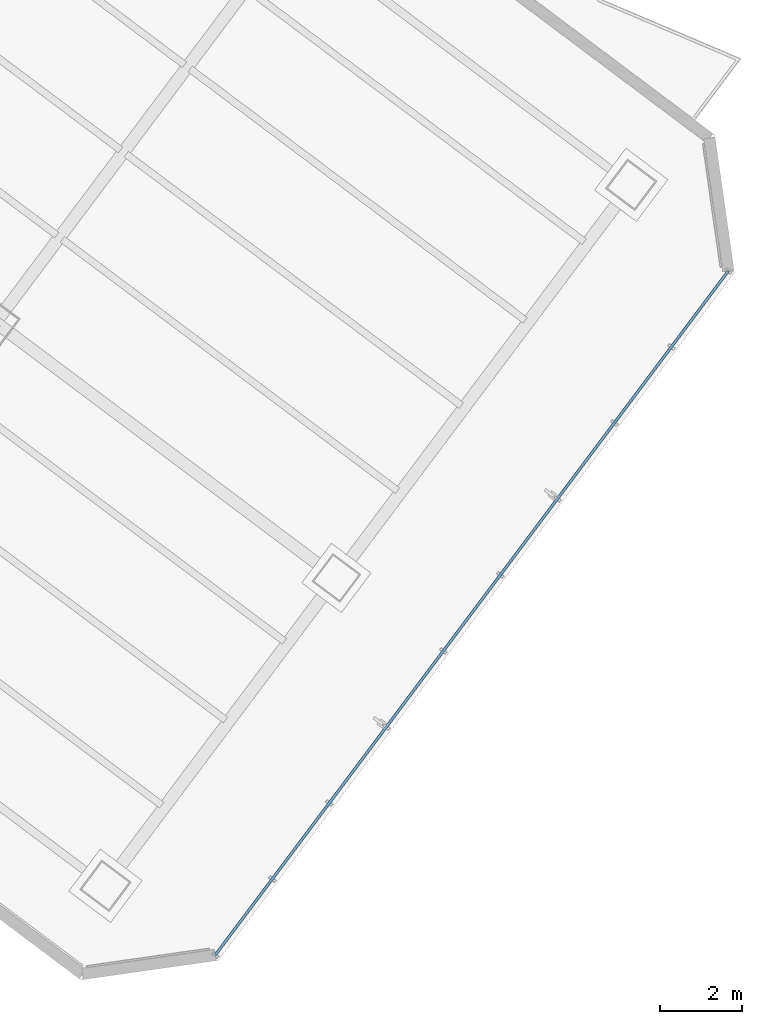
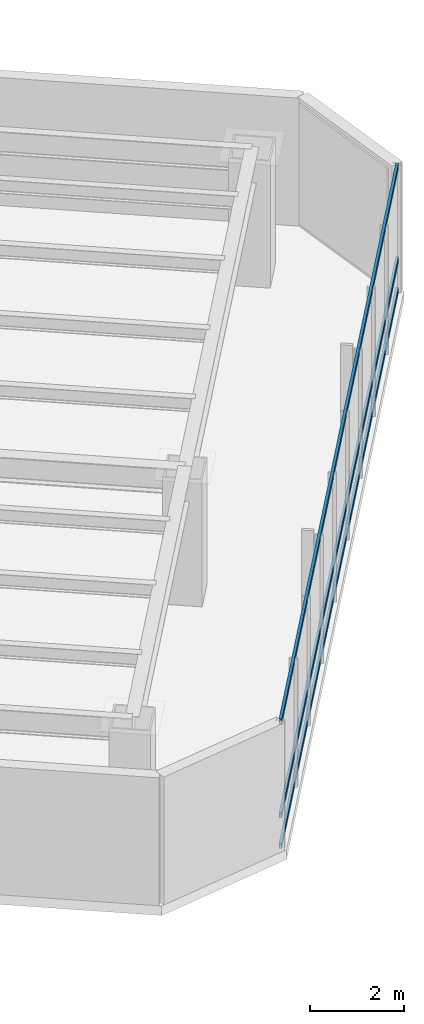
# One storey, part 9 of 29: 3 members, 1 element without a shape of its own.
"""IFC4 building model written with IfcOpenShell, lengths in metres."""

import ifcopenshell
import ifcopenshell.guid

model = None  # the IFC model being written
_history = None  # IfcOwnerHistory: only IFC2X3 demands one
_inside = {}  # id of a spatial element -> (the spatial element, [elements in it])
_under = {}  # id of a project, library or spatial element -> (it, [spatial elements below it])
_declared = {}  # id of a project -> (the project, [libraries it declares])
_typed = {}  # id of a type object -> (the type object, [elements of that type])
_made_of = {}  # id of a material, layer set ... -> (it, [elements and type objects made of it])


def new_model(schema):
    """Start an empty IFC model of exactly this schema.

    Asked for "IFC4X3", IfcOpenShell would pick the latest addendum, in which some entities
    have other attributes; the version numbers below select the first issue.
    IFC2X3 requires an IfcOwnerHistory on every rooted entity: one is made here for all.
    """
    global model, _history
    if schema == "IFC4X3":
        model = ifcopenshell.file(schema_version=(4, 3, 0, 0))
    else:
        model = ifcopenshell.file(schema=schema)
    _inside.clear()
    _under.clear()
    _declared.clear()
    _typed.clear()
    _made_of.clear()
    _history = None
    if model.schema == "IFC2X3":
        org = make("IfcOrganization", Name="unknown")
        user = make(
            "IfcPersonAndOrganization",
            ThePerson=make("IfcPerson", FamilyName="unknown"),
            TheOrganization=org,
        )
        app = make(
            "IfcApplication",
            ApplicationDeveloper=org,
            Version="unknown",
            ApplicationFullName="unknown",
            ApplicationIdentifier="unknown",
        )
        _history = make(
            "IfcOwnerHistory",
            OwningUser=user,
            OwningApplication=app,
            ChangeAction="ADDED",
            CreationDate=0,
        )
    return model


def make(cls, **values):
    """One entity of the class cls with the attributes given. An attribute that is None is left unset."""
    return model.create_entity(
        cls, **{name: value for name, value in values.items() if value is not None}
    )


def rooted(cls, **values):
    """An entity with a GlobalId (a new one), such as an element, a storey or a relation."""
    return make(cls, GlobalId=ifcopenshell.guid.new(), OwnerHistory=_history, **values)


def si_unit(unit_type, name, prefix=None):
    """IfcSIUnit, for example si_unit("LENGTHUNIT", "METRE", prefix="MILLI")."""
    return make("IfcSIUnit", UnitType=unit_type, Prefix=prefix, Name=name)


def assignment(units):
    """IfcUnitAssignment: the units of a project."""
    return None if units is None else make("IfcUnitAssignment", Units=units)


def point(xyz):
    """IfcCartesianPoint."""
    return None if xyz is None else make("IfcCartesianPoint", Coordinates=xyz)


def direction(xyz):
    """IfcDirection."""
    return None if xyz is None else make("IfcDirection", DirectionRatios=xyz)


def frame(location, z_axis=None, x_axis=None):
    """IfcAxis2Placement3D, a coordinate frame: its origin and axes. An axis left out is left unset."""
    return make(
        "IfcAxis2Placement3D",
        Location=point(location),
        Axis=direction(z_axis),
        RefDirection=direction(x_axis),
    )


def frame_2d(location, x_axis=None):
    """IfcAxis2Placement2D, a coordinate frame in the plane: its origin and x axis."""
    return make(
        "IfcAxis2Placement2D", Location=point(location), RefDirection=direction(x_axis)
    )


def origin():
    """The frame at (0, 0, 0) with its axes left unset."""
    return frame((0.0, 0.0, 0.0))


def origin_2d():
    """The frame at (0, 0) in the plane with its x axis left unset."""
    return frame_2d((0.0, 0.0))


def place(relative_to, where):
    """IfcLocalPlacement: puts the frame where relative to a parent placement (None: the world)."""
    return make(
        "IfcLocalPlacement", PlacementRelTo=relative_to, RelativePlacement=where
    )


def context(
    kind, dimensions, precision=None, world=None, true_north=None, identifier=None
):
    """IfcGeometricRepresentationContext, for example the 3D "Model" context."""
    return make(
        "IfcGeometricRepresentationContext",
        ContextIdentifier=identifier,
        ContextType=kind,
        CoordinateSpaceDimension=dimensions,
        Precision=precision,
        WorldCoordinateSystem=world,
        TrueNorth=true_north,
    )


def subcontext(parent, identifier, kind, view, scale=None):
    """IfcGeometricRepresentationSubContext, for example "Body" below "Model"."""
    return make(
        "IfcGeometricRepresentationSubContext",
        ContextIdentifier=identifier,
        ContextType=kind,
        ParentContext=parent,
        TargetScale=scale,
        TargetView=view,
    )


def project(units=None, contexts=None):
    """IfcProject with its units and contexts."""
    return rooted(
        "IfcProject",
        Name="project",
        RepresentationContexts=contexts,
        UnitsInContext=assignment(units),
    )


def spatial(cls, under=None, at=None, **own):
    """A site, building, storey or space (cls), placed at a placement, below another one or the project."""
    s = rooted(cls, ObjectPlacement=at, **own)
    if under is not None:
        _under.setdefault(under.id(), (under, []))[1].append(s)
    return s


def profile(cls, at=None, kind="AREA", **sizes):
    """A parametric profile (cls). Its sizes go by their IFC names, for example OverallWidth=200.0."""
    return make(cls, ProfileType=kind, Position=at, **sizes)


def hollow_rectangle(**sizes):
    """IfcRectangleHollowProfileDef."""
    return profile("IfcRectangleHollowProfileDef", **sizes)


def extrude(swept, where, along, depth):
    """IfcExtrudedAreaSolid: the profile swept, set in the frame where, extruded along a direction by depth."""
    return make(
        "IfcExtrudedAreaSolid",
        SweptArea=swept,
        Position=where,
        ExtrudedDirection=direction(along),
        Depth=depth,
    )


def shape(context_of_items, identifier, shape_type, items):
    """IfcShapeRepresentation: the items that make up one representation, for example the "Body"."""
    return make(
        "IfcShapeRepresentation",
        ContextOfItems=context_of_items,
        RepresentationIdentifier=identifier,
        RepresentationType=shape_type,
        Items=items,
    )


def material(Name=None, Category=None):
    """IfcMaterial."""
    return make("IfcMaterial", Name=Name, Category=Category)


def layer(
    of_material, thickness, ventilated=None, Name=None, Category=None, Priority=None
):
    """IfcMaterialLayer: one layer of a wall or slab, of a material (None: an air gap)."""
    return make(
        "IfcMaterialLayer",
        Material=of_material,
        LayerThickness=thickness,
        IsVentilated=ventilated,
        Name=Name,
        Category=Category,
        Priority=Priority,
    )


def layer_set(layers, Name=None):
    """IfcMaterialLayerSet."""
    return make("IfcMaterialLayerSet", MaterialLayers=layers, LayerSetName=Name)


def material_profile(
    of_material, cross_section, Name=None, Category=None, Priority=None
):
    """IfcMaterialProfile: a cross section and its material."""
    return make(
        "IfcMaterialProfile",
        Name=Name,
        Material=of_material,
        Profile=cross_section,
        Priority=Priority,
        Category=Category,
    )


def profile_set(profiles, Name=None, composite=None):
    """IfcMaterialProfileSet."""
    return make(
        "IfcMaterialProfileSet",
        Name=Name,
        MaterialProfiles=profiles,
        CompositeProfile=composite,
    )


def made_of(thing, what):
    """Note that an element or type object is made of a material, layer set ...; save() writes the relation."""
    if what is not None:
        _made_of.setdefault(what.id(), (what, []))[1].append(thing)
    return thing


def type_object(cls, material=None, **own):
    """A type object (cls), such as IfcWallType, which elements share."""
    return made_of(rooted(cls, **own), material)


def element(
    cls,
    number,
    at=None,
    inside=None,
    cuts=None,
    type_object=None,
    material=None,
    context=None,
    identifier="Body",
    shape_type=None,
    held_by="IfcProductDefinitionShape",
    body=None,
    shapes=None,
    **own,
):
    """One element of the class cls, such as IfcWall. Its Tag is "e" and its number.

    at: its placement. inside: the storey or other place that contains it. cuts: it is an
    opening in that element (IfcRelVoidsElement). A single representation is given by context,
    identifier, shape_type and body (its items); several are given by shapes. held_by: the class
    of the entity that holds the representations. save() writes the other relations.
    """
    e = rooted(cls, Tag="e%d" % number, ObjectPlacement=at, **own)
    if body is not None:
        shapes = [shape(context, identifier, shape_type, body)]
    if shapes is not None:
        e.Representation = make(held_by, Representations=shapes)
    if inside is not None:
        _inside.setdefault(inside.id(), (inside, []))[1].append(e)
    if cuts is not None:
        rooted(
            "IfcRelVoidsElement", RelatingBuildingElement=cuts, RelatedOpeningElement=e
        )
    if type_object is not None:
        _typed.setdefault(type_object.id(), (type_object, []))[1].append(e)
    return made_of(e, material)


def aggregate(whole, parts):
    """IfcRelAggregates: a whole, such as a stair, and the parts it consists of."""
    return rooted("IfcRelAggregates", RelatingObject=whole, RelatedObjects=parts)


def save(model, path):
    """Write the relations noted so far, then the file.

    IfcRelAggregates (storeys below a building ...), IfcRelContainedInSpatialStructure (elements
    in a storey), IfcRelDefinesByType, IfcRelAssociatesMaterial and IfcRelDeclares: one each for
    every whole, place, type object, material and project.
    """
    for whole, parts in _under.values():
        aggregate(whole, parts)
    for where, things in _inside.values():
        rooted(
            "IfcRelContainedInSpatialStructure",
            RelatedElements=things,
            RelatingStructure=where,
        )
    for kind, things in _typed.values():
        rooted("IfcRelDefinesByType", RelatedObjects=things, RelatingType=kind)
    for what, things in _made_of.values():
        rooted("IfcRelAssociatesMaterial", RelatedObjects=things, RelatingMaterial=what)
    for by, libraries in _declared.values():
        rooted("IfcRelDeclares", RelatingContext=by, RelatedDefinitions=libraries)
    model.write(path)


model = new_model("IFC4")

# Units and contexts
model_context = context("Model", 3, precision=1e-05, world=origin(), true_north=direction((0.0, 1.0)))
body_context = subcontext(model_context, "Body", "Model", "MODEL_VIEW")
ifc_project = project(units=[si_unit("LENGTHUNIT", "METRE"), si_unit("AREAUNIT", "SQUARE_METRE"), si_unit("VOLUMEUNIT", "CUBIC_METRE"), si_unit("PLANEANGLEUNIT", "RADIAN"), si_unit("MASSUNIT", "GRAM", prefix="KILO")], contexts=[model_context])

# Site, building, storey
site_placement = place(None, origin())
site = spatial("IfcSite", under=ifc_project, at=site_placement, CompositionType="ELEMENT")
building_placement = place(site_placement, origin())
building = spatial("IfcBuilding", under=site, at=building_placement, Name="Hatsunagi Terrace Concourse", CompositionType="ELEMENT")
storey_placement = place(building_placement, frame((0.0, 0.0, 126.449951171875)))
storey = spatial("IfcBuildingStorey", under=building, at=storey_placement, Name="L33", CompositionType="ELEMENT", Elevation=126.449951171875)

# Curtain wall, members
ifc_material_1 = material(Name="Anodised Aluminium Alloy 6063-T5", Category="aluminium")
ifc_layer = layer(ifc_material_1, 0.199951171875)
ifc_layer_set = layer_set([ifc_layer], Name="OfficeZone1_CW03")
curtain_wall_type = type_object("IfcCurtainWallType", Name="OfficeZone1_CW03", PredefinedType="NOTDEFINED", material=ifc_layer_set)
curtain_wall_placement = place(storey_placement, origin())
curtain_wall = element("IfcCurtainWall", 1, at=curtain_wall_placement, inside=storey, type_object=curtain_wall_type, Name="Unitised Curtain Wall CW-03 CW-L33-03", PredefinedType="NOTDEFINED")
ifc_material_2 = material(Name="Anodised Aluminium Alloy 6063-T5", Category="aluminium")
ifc_material_profile = material_profile(ifc_material_2, hollow_rectangle(XDim=0.06494140625, YDim=0.139892578125, WallThickness=0.00390625, at=origin_2d()), Name="ALU-TRN-140x65x4")
ifc_profile_set = profile_set([ifc_material_profile], Name="Anodised Aluminium Alloy 6063-T5")
member_type = type_object("IfcMemberType", Name="CurtainWallTransom_140x65", PredefinedType="USERDEFINED", material=ifc_profile_set)
member_1_placement = place(storey_placement, frame((69.093017578125, 19.657958984375, 0.050048828125), z_axis=(-0.599970072971, -0.800022444397, 0.0), x_axis=(0.800022444397, -0.599970072971, 0.0)))
member_1 = element("IfcMember", 2, at=member_1_placement, type_object=member_type, Name="Curtain Wall Transom TRN-02", ObjectType="TRANSOM", PredefinedType="USERDEFINED", context=body_context, shape_type="SweptSolid", body=[
    extrude(hollow_rectangle(XDim=0.06494140625, YDim=0.139892578125, WallThickness=0.00390625, at=origin_2d()), origin(), (0.0, 0.0, 1.0), 20.884521484375),
])
member_2_placement = place(storey_placement, frame((69.093017578125, 19.657958984375, 0.85009765625), z_axis=(-0.599970072971, -0.800022444397, 0.0), x_axis=(0.800022444397, -0.599970072971, 0.0)))
member_2 = element("IfcMember", 3, at=member_2_placement, type_object=member_type, Name="Curtain Wall Transom TRN-02", ObjectType="TRANSOM", PredefinedType="USERDEFINED", context=body_context, shape_type="SweptSolid", body=[
    extrude(hollow_rectangle(XDim=0.06494140625, YDim=0.139892578125, WallThickness=0.00390625, at=origin_2d()), origin(), (0.0, 0.0, 1.0), 20.884521484375),
])
member_3_placement = place(storey_placement, frame((69.093017578125, 19.657958984375, 3.2900390625), z_axis=(-0.599970072971, -0.800022444397, 0.0), x_axis=(0.800022444397, -0.599970072971, 0.0)))
member_3 = element("IfcMember", 4, at=member_3_placement, type_object=member_type, Name="Curtain Wall Transom TRN-02", ObjectType="TRANSOM", PredefinedType="USERDEFINED", context=body_context, shape_type="SweptSolid", body=[
    extrude(hollow_rectangle(XDim=0.06494140625, YDim=0.139892578125, WallThickness=0.00390625, at=origin_2d()), origin(), (0.0, 0.0, 1.0), 20.884521484375),
])
aggregate(curtain_wall, [member_1, member_2, member_3])

save(model, "model.ifc")
